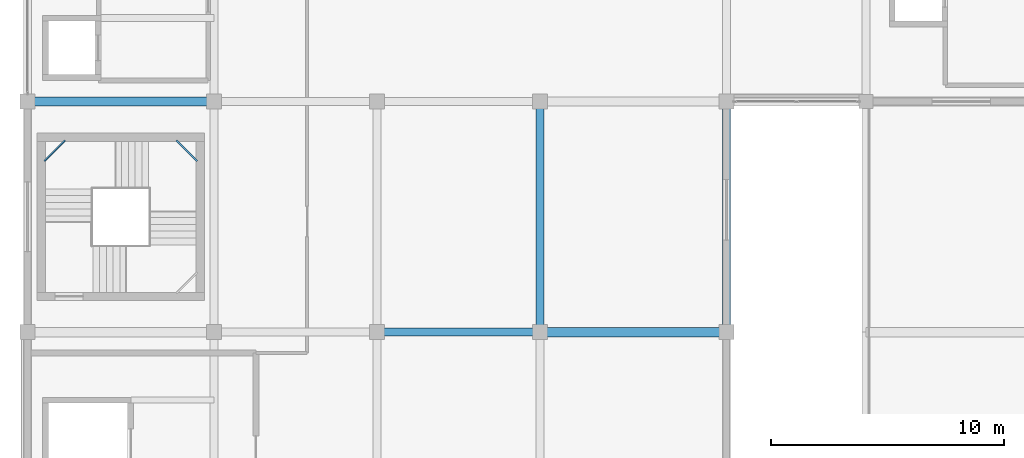
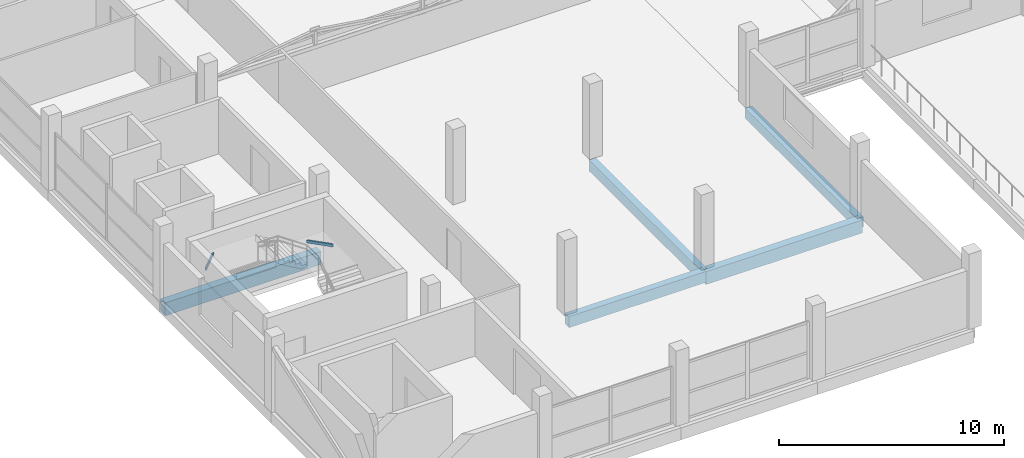
# One storey, part 5 of 53: 7 beams.
"""IFC4 building model written with IfcOpenShell, lengths in metres."""

from ifc_helpers import new_model, si_unit, direction, frame, origin, origin_2d, place, context, subcontext, project, spatial, rectangle, hollow_rectangle, extrude, material, material_profile, profile_set, type_object, element, save


model = new_model("IFC4")

# Units and contexts
model_context = context("Model", 3, precision=1e-05, world=origin(), true_north=direction((0.0, 1.0)))
body_context = subcontext(model_context, "Body", "Model", "MODEL_VIEW")
ifc_project = project(units=[si_unit("LENGTHUNIT", "METRE"), si_unit("AREAUNIT", "SQUARE_METRE"), si_unit("VOLUMEUNIT", "CUBIC_METRE"), si_unit("PLANEANGLEUNIT", "RADIAN"), si_unit("MASSUNIT", "GRAM", prefix="KILO")], contexts=[model_context])

# Site, building, storey
site_placement = place(None, origin())
site = spatial("IfcSite", under=ifc_project, at=site_placement, CompositionType="ELEMENT")
building_placement = place(site_placement, origin())
building = spatial("IfcBuilding", under=site, at=building_placement, Name="Sillaruma Civic Art Gallery", CompositionType="ELEMENT")
storey_placement = place(building_placement, frame((0.0, 0.0, 70.3798828125)))
storey = spatial("IfcBuildingStorey", under=building, at=storey_placement, Name="L14", CompositionType="ELEMENT", Elevation=70.3798828125)

# Beams
ifc_material_1 = material(Name="Concrete H35 (35 MPa)", Category="concrete")
ifc_material_profile_1 = material_profile(ifc_material_1, rectangle(XDim=0.35009765625, YDim=0.60009765625, at=origin_2d()), Name="RCB350x600")
ifc_profile_set_1 = profile_set([ifc_material_profile_1], Name="Concrete H35 (35 MPa)")
beam_type_1 = type_object("IfcBeamType", Name="BM-BEAM-RCB350x600", PredefinedType="BEAM", material=ifc_profile_set_1)
beam_1_placement = place(storey_placement, frame((77.0, 29.699951171875, -0.5498046875), z_axis=(1.0, 0.0, 0.0), x_axis=(0.0, 1.0, 0.0)))
element("IfcBeam", 1, at=beam_1_placement, inside=storey, type_object=beam_type_1, Name="Beam BM-06 (L13:4:H-J)", PredefinedType="BEAM", context=body_context, shape_type="SweptSolid", body=[
    extrude(rectangle(XDim=0.35009765625, YDim=0.60009765625, at=origin_2d()), origin(), (0.0, 0.0, 1.0), 7.0),
])
beam_2_placement = place(storey_placement, frame((84.0, 29.699951171875, -0.5498046875), z_axis=(0.0, 1.0, 0.0), x_axis=(-1.0, 0.0, 0.0)))
element("IfcBeam", 2, at=beam_2_placement, inside=storey, type_object=beam_type_1, Name="Beam BM-06 (L13:J:4-5)", PredefinedType="BEAM", context=body_context, shape_type="SweptSolid", body=[
    extrude(rectangle(XDim=0.35009765625, YDim=0.60009765625, at=origin_2d()), origin(), (0.0, 0.0, 1.0), 9.900146484375),
])
ifc_material_profile_2 = material_profile(ifc_material_1, rectangle(XDim=0.39990234375, YDim=0.699951171875, at=origin_2d()), Name="RCB400x700")
ifc_profile_set_2 = profile_set([ifc_material_profile_2], Name="Concrete H35 (35 MPa)")
beam_type_2 = type_object("IfcBeamType", Name="BM-BEAM-RCB400x700", PredefinedType="BEAM", material=ifc_profile_set_2)
for number, where, z_axis, x_axis, name in (
    (3, (84.0, 29.699951171875, -0.599853515625), (1.0, 0.0, 0.0), (0.0, 1.0, 0.0), "Beam BM-04 (L13:4:J-K)"),
    (4, (62.0, 39.60009765625, -0.599853515625), (1.0, 0.0, 0.0), (0.0, 1.0, 0.0), "Beam BM-04 (L13:5:F-G)"),
):
    element("IfcBeam", number, at=place(storey_placement, frame(where, z_axis=z_axis, x_axis=x_axis)), inside=storey, type_object=beam_type_2, Name=name, PredefinedType="BEAM", context=body_context, shape_type="SweptSolid", body=[
        extrude(rectangle(XDim=0.39990234375, YDim=0.699951171875, at=origin_2d()), origin(), (0.0, 0.0, 1.0), 8.0),
    ])
ifc_material_2 = material(Name="Structural Steel ASTM A500 Gr.C", Category="steel")
ifc_material_profile_3 = material_profile(ifc_material_2, hollow_rectangle(XDim=0.080078125, YDim=0.159912109375, WallThickness=0.008056640625, InnerFilletRadius=0.008056640625, OuterFilletRadius=0.01611328125, at=origin_2d()), Name="HSS160x80x8")
ifc_profile_set_3 = profile_set([ifc_material_profile_3], Name="Structural Steel ASTM A500 Gr.C")
beam_type_3 = type_object("IfcBeamType", Name="BM-LND-HSS160", PredefinedType="BEAM", material=ifc_profile_set_3)
for number, where, z_axis, x_axis, name in (
    (5, (68.389892578125, 37.929931640625, 1.760009765625), (0.707203758046, -0.707009791025, 0.0), (0.707009791025, 0.707203758046, 0.0), "Stair Corner Landing Trimmer Beam (ST-03-L14-2)"),
    (6, (62.719970703125, 37.0400390625, 2.780029296875), (0.707203758046, 0.707009791025, 0.0), (-0.707009791025, 0.707203758046, 0.0), "Stair Corner Landing Trimmer Beam (ST-03-L14-3)"),
):
    element("IfcBeam", number, at=place(storey_placement, frame(where, z_axis=z_axis, x_axis=x_axis)), inside=storey, type_object=beam_type_3, Name=name, PredefinedType="BEAM", context=body_context, shape_type="SweptSolid", body=[
        extrude(hollow_rectangle(XDim=0.080078125, YDim=0.159912109375, WallThickness=0.008056640625, InnerFilletRadius=0.008056640625, OuterFilletRadius=0.01611328125, at=origin_2d()), origin(), (0.0, 0.0, 1.0), 1.2587890625),
    ])
ifc_material_profile_4 = material_profile(ifc_material_1, rectangle(XDim=0.35009765625, YDim=0.550048828125, at=origin_2d()), Name="RCB350x550")
ifc_profile_set_4 = profile_set([ifc_material_profile_4], Name="Concrete H35 (35 MPa)")
beam_type_4 = type_object("IfcBeamType", Name="BM-SPANDREL-RCB350x550", PredefinedType="SPANDREL", material=ifc_profile_set_4)
beam_3_placement = place(storey_placement, frame((92.0, 29.699951171875, -0.52490234375), z_axis=(0.0, 1.0, 0.0), x_axis=(-1.0, 0.0, 0.0)))
element("IfcBeam", 7, at=beam_3_placement, inside=storey, type_object=beam_type_4, Name="Beam BS-04 (L13:K:4-5)", PredefinedType="SPANDREL", context=body_context, shape_type="SweptSolid", body=[
    extrude(rectangle(XDim=0.35009765625, YDim=0.550048828125, at=origin_2d()), origin(), (0.0, 0.0, 1.0), 9.900146484375),
])

save(model, "model.ifc")
